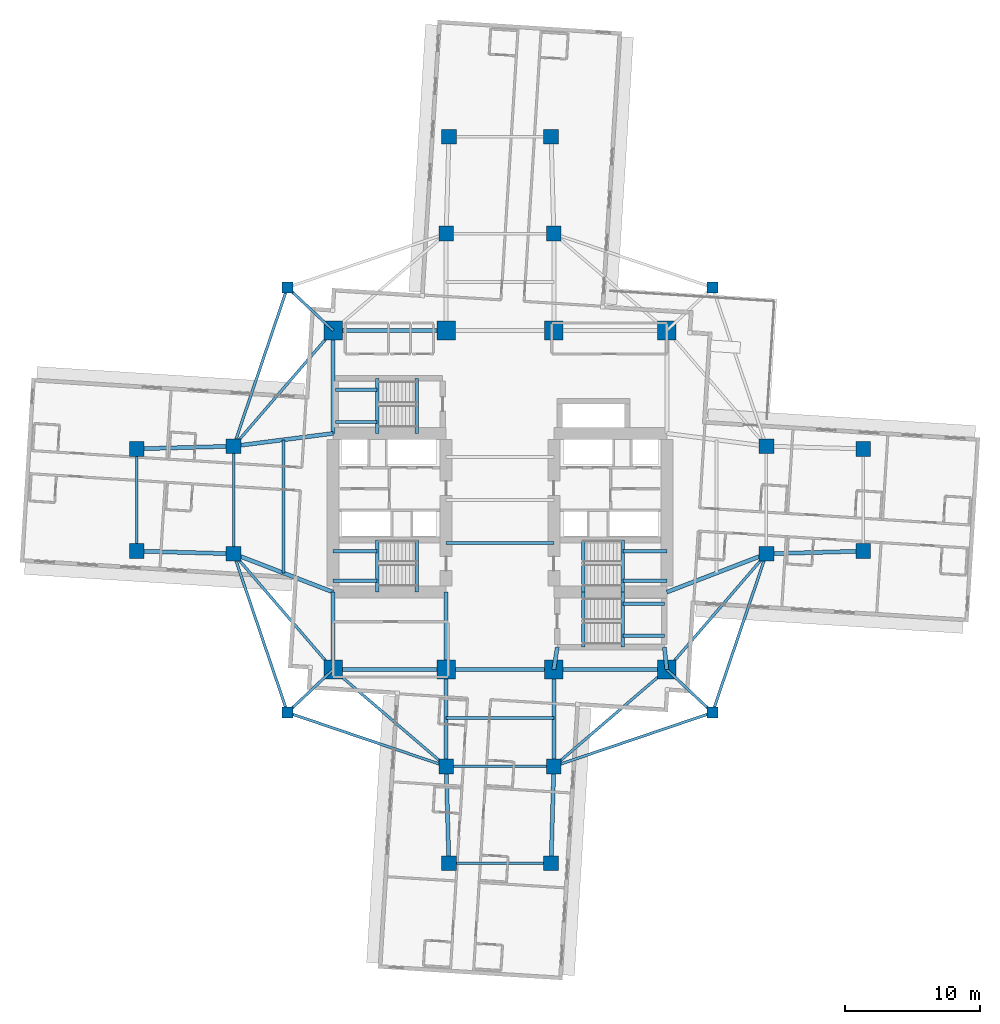
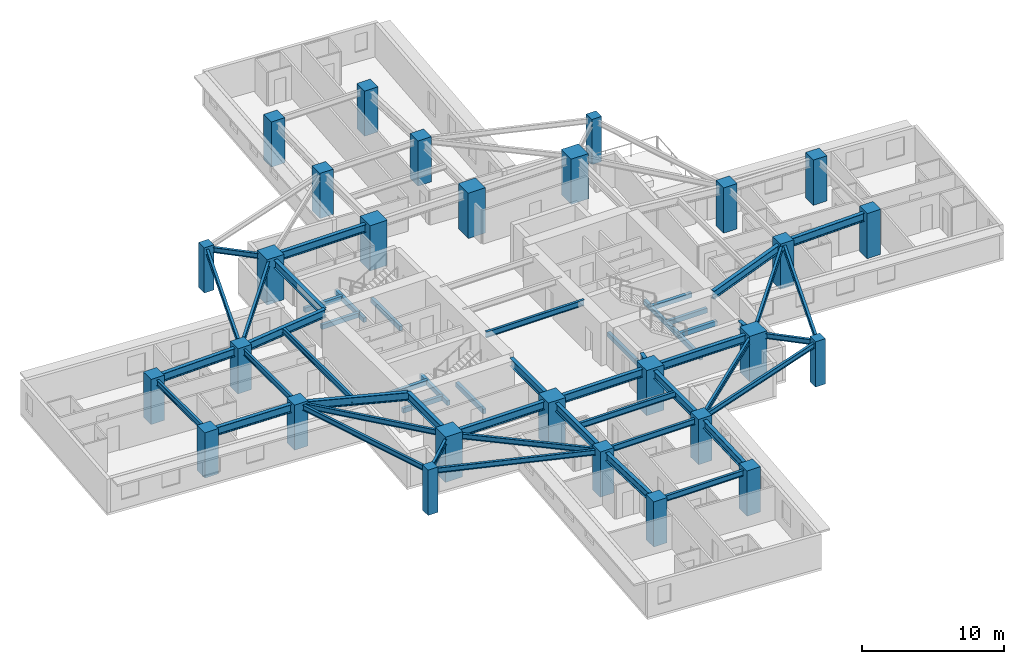
# One storey, part 1 of 14: 55 beams, 28 columns.
"""IFC4 building model written with IfcOpenShell, lengths in metres."""

from ifc_helpers import new_model, si_unit, direction, frame, origin, origin_2d, place, context, subcontext, project, spatial, rectangle, i_section, extrude, material, material_profile, profile_set, type_object, element, save


model = new_model("IFC4")

# Units and contexts
model_context = context("Model", 3, precision=1e-05, world=origin(), true_north=direction((0.0, 1.0)))
body_context = subcontext(model_context, "Body", "Model", "MODEL_VIEW")
ifc_project = project(units=[si_unit("LENGTHUNIT", "METRE"), si_unit("AREAUNIT", "SQUARE_METRE"), si_unit("VOLUMEUNIT", "CUBIC_METRE"), si_unit("PLANEANGLEUNIT", "RADIAN"), si_unit("MASSUNIT", "GRAM", prefix="KILO")], contexts=[model_context])

# Site, building, storey
site_placement = place(None, origin())
site = spatial("IfcSite", under=ifc_project, at=site_placement, CompositionType="ELEMENT")
building_placement = place(site_placement, origin())
building = spatial("IfcBuilding", under=site, at=building_placement, Name="Qingluan Cross Belvedere", CompositionType="ELEMENT")
storey_placement = place(building_placement, frame((0.0, 0.0, 79.5)))
storey = spatial("IfcBuildingStorey", under=building, at=storey_placement, Name="L20", CompositionType="ELEMENT", Elevation=79.5)

# Columns
ifc_material_1 = material(Name="Concrete C60", Category="concrete")
ifc_material_profile_1 = material_profile(ifc_material_1, rectangle(XDim=1.10009765625, YDim=1.10009765625, at=origin_2d()), Name="RC1100x1100")
ifc_profile_set_1 = profile_set([ifc_material_profile_1], Name="Concrete C60")
column_type_1 = type_object("IfcColumnType", Name="Column_RC1100x1100", PredefinedType="COLUMN", material=ifc_profile_set_1)
for number, where, z_axis, x_axis, name in (
    (1, (19.800048828125, -4.0, 0.0), (0.0, 0.0, 1.0), (1.0, 0.0, 0.0), "Arm column L20-EIA"),
    (2, (19.800048828125, 4.0, 0.0), (0.0, 0.0, 1.0), (1.0, 0.0, 0.0), "Arm column L20-EIB"),
    (3, (-19.800048828125, -4.0, 0.0), (0.0, 0.0, 1.0), (1.0, 0.0, 0.0), "Arm column L20-WIA"),
    (4, (-19.800048828125, 4.0, 0.0), (0.0, 0.0, 1.0), (1.0, 0.0, 0.0), "Arm column L20-WIB"),
    (5, (-4.0, -19.800048828125, 0.0), (0.0, 0.0, 1.0), (1.0, 0.0, 0.0), "Arm column L20-SIA"),
    (6, (4.0, -19.800048828125, 0.0), (0.0, 0.0, 1.0), (1.0, 0.0, 0.0), "Arm column L20-SIB"),
    (7, (-4.0, 19.800048828125, 0.0), (0.0, 0.0, 1.0), (1.0, 0.0, 0.0), "Arm column L20-NIA"),
    (8, (4.0, 19.800048828125, 0.0), (0.0, 0.0, 1.0), (1.0, 0.0, 0.0), "Arm column L20-NIB"),
    (9, (27.0, -3.800048828125, 0.0), (0.0, 0.0, 1.0), (1.0, 0.0, 0.0), "Arm column L20-EOA"),
    (10, (27.0, 3.800048828125, 0.0), (0.0, 0.0, 1.0), (1.0, 0.0, 0.0), "Arm column L20-EOB"),
    (11, (-27.0, -3.800048828125, 0.0), (0.0, 0.0, 1.0), (1.0, 0.0, 0.0), "Arm column L20-WOA"),
    (12, (-27.0, 3.800048828125, 0.0), (0.0, 0.0, 1.0), (1.0, 0.0, 0.0), "Arm column L20-WOB"),
    (13, (-3.800048828125, -27.0, 0.0), (0.0, 0.0, 1.0), (1.0, 0.0, 0.0), "Arm column L20-SOA"),
    (14, (3.800048828125, -27.0, 0.0), (0.0, 0.0, 1.0), (1.0, 0.0, 0.0), "Arm column L20-SOB"),
    (15, (-3.800048828125, 27.0, 0.0), (0.0, 0.0, 1.0), (1.0, 0.0, 0.0), "Arm column L20-NOA"),
    (16, (3.800048828125, 27.0, 0.0), (0.0, 0.0, 1.0), (1.0, 0.0, 0.0), "Arm column L20-NOB"),
):
    element("IfcColumn", number, at=place(storey_placement, frame(where, z_axis=z_axis, x_axis=x_axis)), inside=storey, type_object=column_type_1, Name=name, PredefinedType="COLUMN", context=body_context, shape_type="SweptSolid", body=[
        extrude(rectangle(XDim=1.10009765625, YDim=1.10009765625, at=origin_2d()), origin(), (0.0, 0.0, 1.0), 3.89990234375),
    ])
ifc_material_2 = material(Name="Concrete C70", Category="concrete")
ifc_material_profile_2 = material_profile(ifc_material_2, rectangle(XDim=1.39990234375, YDim=1.39990234375, at=origin_2d()), Name="RC1400x1400")
ifc_profile_set_2 = profile_set([ifc_material_profile_2], Name="Concrete C70")
column_type_2 = type_object("IfcColumnType", Name="Column_RC1400x1400", PredefinedType="COLUMN", material=ifc_profile_set_2)
for number, where, z_axis, x_axis, name in (
    (17, (-12.39990234375, -12.60009765625, 0.0), (0.0, 0.0, 1.0), (1.0, 0.0, 0.0), "Hub column L20-HC1"),
    (18, (12.39990234375, -12.60009765625, 0.0), (0.0, 0.0, 1.0), (1.0, 0.0, 0.0), "Hub column L20-HC2"),
    (19, (12.39990234375, 12.60009765625, 0.0), (0.0, 0.0, 1.0), (1.0, 0.0, 0.0), "Hub column L20-HC3"),
    (20, (-12.39990234375, 12.60009765625, 0.0), (0.0, 0.0, 1.0), (1.0, 0.0, 0.0), "Hub column L20-HC4"),
    (21, (-4.0, -12.60009765625, 0.0), (0.0, 0.0, 1.0), (1.0, 0.0, 0.0), "Hub column L20-HC5"),
    (22, (4.0, -12.60009765625, 0.0), (0.0, 0.0, 1.0), (1.0, 0.0, 0.0), "Hub column L20-HC6"),
    (23, (4.0, 12.60009765625, 0.0), (0.0, 0.0, 1.0), (1.0, 0.0, 0.0), "Hub column L20-HC7"),
    (24, (-4.0, 12.60009765625, 0.0), (0.0, 0.0, 1.0), (1.0, 0.0, 0.0), "Hub column L20-HC8"),
):
    element("IfcColumn", number, at=place(storey_placement, frame(where, z_axis=z_axis, x_axis=x_axis)), inside=storey, type_object=column_type_2, Name=name, PredefinedType="COLUMN", context=body_context, shape_type="SweptSolid", body=[
        extrude(rectangle(XDim=1.39990234375, YDim=1.39990234375, at=origin_2d()), origin(), (0.0, 0.0, 1.0), 3.89990234375),
    ])
ifc_material_3 = material(Name="Concrete C50", Category="concrete")
ifc_material_profile_3 = material_profile(ifc_material_3, rectangle(XDim=0.800048828125, YDim=0.800048828125, at=origin_2d()), Name="RC800x800")
ifc_profile_set_3 = profile_set([ifc_material_profile_3], Name="Concrete C50")
column_type_3 = type_object("IfcColumnType", Name="Column_RC800x800", PredefinedType="COLUMN", material=ifc_profile_set_3)
for number, where, z_axis, x_axis, name in (
    (25, (15.800048828125, 15.800048828125, 0.0), (0.0, 0.0, 1.0), (1.0, 0.0, 0.0), "Corner column L20-RNE"),
    (26, (-15.800048828125, 15.800048828125, 0.0), (0.0, 0.0, 1.0), (1.0, 0.0, 0.0), "Corner column L20-RNW"),
    (27, (-15.800048828125, -15.800048828125, 0.0), (0.0, 0.0, 1.0), (1.0, 0.0, 0.0), "Corner column L20-RSW"),
    (28, (15.800048828125, -15.800048828125, 0.0), (0.0, 0.0, 1.0), (1.0, 0.0, 0.0), "Corner column L20-RSE"),
):
    element("IfcColumn", number, at=place(storey_placement, frame(where, z_axis=z_axis, x_axis=x_axis)), inside=storey, type_object=column_type_3, Name=name, PredefinedType="COLUMN", context=body_context, shape_type="SweptSolid", body=[
        extrude(rectangle(XDim=0.800048828125, YDim=0.800048828125, at=origin_2d()), origin(), (0.0, 0.0, 1.0), 3.89990234375),
    ])

# Beams
ifc_material_4 = material(Name="Concrete C45", Category="concrete")
ifc_material_profile_4 = material_profile(ifc_material_4, rectangle(XDim=0.25, YDim=0.39990234375, at=origin_2d()), Name="RC250x400")
ifc_profile_set_4 = profile_set([ifc_material_profile_4], Name="Concrete C45")
beam_type_1 = type_object("IfcBeamType", Name="RC_Lintel_RC250x400", PredefinedType="LINTEL", material=ifc_profile_set_4)
for number, where, z_axis, x_axis, name in (
    (29, (-6.179931640625, -6.85009765625, -0.199951171875), (0.0, 1.0, 0.0), (-1.0, 0.0, 0.0), "Stair ST1 landing beam L20"),
    (30, (6.179931640625, -6.85009765625, -0.199951171875), (0.0, 1.0, 0.0), (-1.0, 0.0, 0.0), "Stair ST2 landing beam L20"),
):
    element("IfcBeam", number, at=place(storey_placement, frame(where, z_axis=z_axis, x_axis=x_axis)), inside=storey, type_object=beam_type_1, Name=name, PredefinedType="LINTEL", context=body_context, shape_type="SweptSolid", body=[
        extrude(rectangle(XDim=0.25, YDim=0.39990234375, at=origin_2d()), origin(), (0.0, 0.0, 1.0), 3.89013671875),
    ])
beam_1_placement = place(storey_placement, frame((-6.179931640625, 4.949951171875, -0.199951171875), z_axis=(0.0, 1.0, 0.0), x_axis=(-1.0, 0.0, 0.0)))
element("IfcBeam", 31, at=beam_1_placement, inside=storey, type_object=beam_type_1, Name="Stair ST3 landing beam L20", PredefinedType="LINTEL", context=body_context, shape_type="SweptSolid", body=[
    extrude(rectangle(XDim=0.25, YDim=0.39990234375, at=origin_2d()), origin(), (0.0, 0.0, 1.0), 4.090087890625),
])
beam_2_placement = place(storey_placement, frame((6.179931640625, -10.93994140625, -0.199951171875), z_axis=(0.0, 1.0, 0.0), x_axis=(-1.0, 0.0, 0.0)))
element("IfcBeam", 32, at=beam_2_placement, inside=storey, type_object=beam_type_1, Name="Stair ST4 landing beam L20", PredefinedType="LINTEL", context=body_context, shape_type="SweptSolid", body=[
    extrude(rectangle(XDim=0.25, YDim=0.39990234375, at=origin_2d()), origin(), (0.0, 0.0, 1.0), 4.08984375),
])
beam_3_placement = place(storey_placement, frame((-9.1298828125, -6.85009765625, 1.550048828125), z_axis=(0.0, 1.0, 0.0), x_axis=(-1.0, 0.0, 0.0)))
element("IfcBeam", 33, at=beam_3_placement, inside=storey, type_object=beam_type_1, Name="Stair ST1 beam A L20", PredefinedType="LINTEL", context=body_context, shape_type="SweptSolid", body=[
    extrude(rectangle(XDim=0.25, YDim=0.39990234375, at=origin_2d()), origin(), (0.0, 0.0, 1.0), 3.89013671875),
])
for number, where, z_axis, x_axis, name in (
    (34, (-12.39990234375, -6.0, 1.550048828125), (1.0, 0.0, 0.0), (0.0, 1.0, 0.0), "Stair ST1 beam B L20"),
    (35, (-12.39990234375, -3.81005859375, 1.550048828125), (1.0, 0.0, 0.0), (0.0, 1.0, 0.0), "Stair ST1 beam C L20"),
):
    element("IfcBeam", number, at=place(storey_placement, frame(where, z_axis=z_axis, x_axis=x_axis)), inside=storey, type_object=beam_type_1, Name=name, PredefinedType="LINTEL", context=body_context, shape_type="SweptSolid", body=[
        extrude(rectangle(XDim=0.25, YDim=0.39990234375, at=origin_2d()), origin(), (0.0, 0.0, 1.0), 3.27001953125),
    ])
beam_4_placement = place(storey_placement, frame((9.1298828125, -6.85009765625, 1.550048828125), z_axis=(0.0, 1.0, 0.0), x_axis=(-1.0, 0.0, 0.0)))
element("IfcBeam", 36, at=beam_4_placement, inside=storey, type_object=beam_type_1, Name="Stair ST2 beam A L20", PredefinedType="LINTEL", context=body_context, shape_type="SweptSolid", body=[
    extrude(rectangle(XDim=0.25, YDim=0.39990234375, at=origin_2d()), origin(), (0.0, 0.0, 1.0), 3.89013671875),
])
for number, where, z_axis, x_axis, name in (
    (37, (12.39990234375, -6.0, 1.550048828125), (-1.0, 0.0, 0.0), (0.0, -1.0, 0.0), "Stair ST2 beam B L20"),
    (38, (12.39990234375, -3.81005859375, 1.550048828125), (-1.0, 0.0, 0.0), (0.0, -1.0, 0.0), "Stair ST2 beam C L20"),
):
    element("IfcBeam", number, at=place(storey_placement, frame(where, z_axis=z_axis, x_axis=x_axis)), inside=storey, type_object=beam_type_1, Name=name, PredefinedType="LINTEL", context=body_context, shape_type="SweptSolid", body=[
        extrude(rectangle(XDim=0.25, YDim=0.39990234375, at=origin_2d()), origin(), (0.0, 0.0, 1.0), 3.27001953125),
    ])
beam_5_placement = place(storey_placement, frame((-9.1298828125, 4.949951171875, 1.550048828125), z_axis=(0.0, 1.0, 0.0), x_axis=(-1.0, 0.0, 0.0)))
element("IfcBeam", 39, at=beam_5_placement, inside=storey, type_object=beam_type_1, Name="Stair ST3 beam A L20", PredefinedType="LINTEL", context=body_context, shape_type="SweptSolid", body=[
    extrude(rectangle(XDim=0.25, YDim=0.39990234375, at=origin_2d()), origin(), (0.0, 0.0, 1.0), 4.090087890625),
])
for number, where, z_axis, x_axis, name in (
    (40, (-12.219970703125, 5.800048828125, 1.550048828125), (1.0, 0.0, 0.0), (0.0, 1.0, 0.0), "Stair ST3 beam B L20"),
    (41, (-12.219970703125, 8.18994140625, 1.550048828125), (1.0, 0.0, 0.0), (0.0, 1.0, 0.0), "Stair ST3 beam C L20"),
):
    element("IfcBeam", number, at=place(storey_placement, frame(where, z_axis=z_axis, x_axis=x_axis)), inside=storey, type_object=beam_type_1, Name=name, PredefinedType="LINTEL", context=body_context, shape_type="SweptSolid", body=[
        extrude(rectangle(XDim=0.25, YDim=0.39990234375, at=origin_2d()), origin(), (0.0, 0.0, 1.0), 3.090087890625),
    ])
beam_6_placement = place(storey_placement, frame((9.1298828125, -10.93994140625, 1.550048828125), z_axis=(0.0, 1.0, 0.0), x_axis=(-1.0, 0.0, 0.0)))
element("IfcBeam", 42, at=beam_6_placement, inside=storey, type_object=beam_type_1, Name="Stair ST4 beam A L20", PredefinedType="LINTEL", context=body_context, shape_type="SweptSolid", body=[
    extrude(rectangle(XDim=0.25, YDim=0.39990234375, at=origin_2d()), origin(), (0.0, 0.0, 1.0), 4.08984375),
])
for number, where, z_axis, x_axis, name in (
    (43, (12.219970703125, -10.090087890625, 1.550048828125), (-1.0, 0.0, 0.0), (0.0, -1.0, 0.0), "Stair ST4 beam B L20"),
    (44, (12.219970703125, -7.699951171875, 1.550048828125), (-1.0, 0.0, 0.0), (0.0, -1.0, 0.0), "Stair ST4 beam C L20"),
):
    element("IfcBeam", number, at=place(storey_placement, frame(where, z_axis=z_axis, x_axis=x_axis)), inside=storey, type_object=beam_type_1, Name=name, PredefinedType="LINTEL", context=body_context, shape_type="SweptSolid", body=[
        extrude(rectangle(XDim=0.25, YDim=0.39990234375, at=origin_2d()), origin(), (0.0, 0.0, 1.0), 3.090087890625),
    ])
ifc_material_5 = material(Name="Steel Q420GJB", Category="steel")
ifc_material_profile_5 = material_profile(ifc_material_5, i_section(OverallWidth=0.199951171875, OverallDepth=0.449951171875, WebThickness=0.009033203125, FlangeThickness=0.013916015625, FilletRadius=0.01611328125, at=origin_2d()), Name="HN450x200x9x14")
ifc_profile_set_5 = profile_set([ifc_material_profile_5], Name="Steel Q420GJB")
beam_type_2 = type_object("IfcBeamType", Name="Steel_Beam_HN450x200x9x14", PredefinedType="JOIST", material=ifc_profile_set_5)
beam_7_placement = place(storey_placement, frame((-12.39990234375, 12.60009765625, 3.47509765625), z_axis=(-0.728219948308, 0.685343495546, 0.0), x_axis=(-0.685343495546, -0.728219948308, 0.0)))
element("IfcBeam", 45, at=beam_7_placement, inside=storey, type_object=beam_type_2, Name="Corner beam 1 L20-RNW", PredefinedType="JOIST", context=body_context, shape_type="SweptSolid", body=[
    extrude(i_section(OverallWidth=0.199951171875, OverallDepth=0.449951171875, WebThickness=0.009033203125, FlangeThickness=0.013916015625, FilletRadius=0.01611328125, at=origin_2d()), origin(), (0.0, 0.0, 1.0), 4.669189453125),
])
beam_8_placement = place(storey_placement, frame((-15.800048828125, 15.800048828125, 3.47509765625), z_axis=(-0.321038089628, -0.947066283324, 0.0), x_axis=(0.947066283324, -0.321038089628, 0.0)))
element("IfcBeam", 46, at=beam_8_placement, inside=storey, type_object=beam_type_2, Name="Corner beam 3 L20-RNW", PredefinedType="JOIST", context=body_context, shape_type="SweptSolid", body=[
    extrude(i_section(OverallWidth=0.199951171875, OverallDepth=0.449951171875, WebThickness=0.009033203125, FlangeThickness=0.013916015625, FilletRadius=0.01611328125, at=origin_2d()), origin(), (0.0, 0.0, 1.0), 12.45947265625),
])
beam_9_placement = place(storey_placement, frame((-12.39990234375, 12.60009765625, 3.47509765625), z_axis=(-0.652245077546, -0.75800815221, 0.0), x_axis=(0.75800815221, -0.652245077546, 0.0)))
element("IfcBeam", 47, at=beam_9_placement, inside=storey, type_object=beam_type_2, Name="Corner beam 4 L20-RNW", PredefinedType="JOIST", context=body_context, shape_type="SweptSolid", body=[
    extrude(i_section(OverallWidth=0.199951171875, OverallDepth=0.449951171875, WebThickness=0.009033203125, FlangeThickness=0.013916015625, FilletRadius=0.01611328125, at=origin_2d()), origin(), (0.0, 0.0, 1.0), 11.345703125),
])
beam_10_placement = place(storey_placement, frame((-12.39990234375, -12.60009765625, 3.47509765625), z_axis=(-0.728219948308, -0.685343495546, 0.0), x_axis=(0.685343495546, -0.728219948308, 0.0)))
element("IfcBeam", 48, at=beam_10_placement, inside=storey, type_object=beam_type_2, Name="Corner beam 1 L20-RSW", PredefinedType="JOIST", context=body_context, shape_type="SweptSolid", body=[
    extrude(i_section(OverallWidth=0.199951171875, OverallDepth=0.449951171875, WebThickness=0.009033203125, FlangeThickness=0.013916015625, FilletRadius=0.01611328125, at=origin_2d()), origin(), (0.0, 0.0, 1.0), 4.669189453125),
])
for number, where, z_axis, x_axis, name in (
    (49, (-15.800048828125, -15.800048828125, 3.47509765625), (0.947066283324, -0.321038089628, 0.0), (0.321038089628, 0.947066283324, 0.0), "Corner beam 2 L20-RSW"),
    (50, (-15.800048828125, -15.800048828125, 3.47509765625), (-0.321038089628, 0.947066283324, 0.0), (-0.947066283324, -0.321038089628, 0.0), "Corner beam 3 L20-RSW"),
):
    element("IfcBeam", number, at=place(storey_placement, frame(where, z_axis=z_axis, x_axis=x_axis)), inside=storey, type_object=beam_type_2, Name=name, PredefinedType="JOIST", context=body_context, shape_type="SweptSolid", body=[
        extrude(i_section(OverallWidth=0.199951171875, OverallDepth=0.449951171875, WebThickness=0.009033203125, FlangeThickness=0.013916015625, FilletRadius=0.01611328125, at=origin_2d()), origin(), (0.0, 0.0, 1.0), 12.45947265625),
    ])
beam_11_placement = place(storey_placement, frame((-12.39990234375, -12.60009765625, 3.47509765625), z_axis=(-0.652245077546, 0.75800815221, 0.0), x_axis=(-0.75800815221, -0.652245077546, 0.0)))
element("IfcBeam", 51, at=beam_11_placement, inside=storey, type_object=beam_type_2, Name="Corner beam 4 L20-RSW", PredefinedType="JOIST", context=body_context, shape_type="SweptSolid", body=[
    extrude(i_section(OverallWidth=0.199951171875, OverallDepth=0.449951171875, WebThickness=0.009033203125, FlangeThickness=0.013916015625, FilletRadius=0.01611328125, at=origin_2d()), origin(), (0.0, 0.0, 1.0), 11.345703125),
])
beam_12_placement = place(storey_placement, frame((-12.39990234375, -12.60009765625, 3.47509765625), z_axis=(0.759255044656, -0.650793190779, 0.0), x_axis=(0.650793190779, 0.759255044656, 0.0)))
element("IfcBeam", 52, at=beam_12_placement, inside=storey, type_object=beam_type_2, Name="Corner beam 5 L20-RSW", PredefinedType="JOIST", context=body_context, shape_type="SweptSolid", body=[
    extrude(i_section(OverallWidth=0.199951171875, OverallDepth=0.449951171875, WebThickness=0.009033203125, FlangeThickness=0.013916015625, FilletRadius=0.01611328125, at=origin_2d()), origin(), (0.0, 0.0, 1.0), 11.063232421875),
])
beam_13_placement = place(storey_placement, frame((12.39990234375, -12.60009765625, 3.47509765625), z_axis=(0.728219948308, -0.685343495546, 0.0), x_axis=(0.685343495546, 0.728219948308, 0.0)))
element("IfcBeam", 53, at=beam_13_placement, inside=storey, type_object=beam_type_2, Name="Corner beam 1 L20-RSE", PredefinedType="JOIST", context=body_context, shape_type="SweptSolid", body=[
    extrude(i_section(OverallWidth=0.199951171875, OverallDepth=0.449951171875, WebThickness=0.009033203125, FlangeThickness=0.013916015625, FilletRadius=0.01611328125, at=origin_2d()), origin(), (0.0, 0.0, 1.0), 4.669189453125),
])
for number, where, z_axis, x_axis, name in (
    (54, (15.800048828125, -15.800048828125, 3.47509765625), (-0.947066283324, -0.321038089628, 0.0), (0.321038089628, -0.947066283324, 0.0), "Corner beam 2 L20-RSE"),
    (55, (15.800048828125, -15.800048828125, 3.47509765625), (0.321038089628, 0.947066283324, 0.0), (-0.947066283324, 0.321038089628, 0.0), "Corner beam 3 L20-RSE"),
):
    element("IfcBeam", number, at=place(storey_placement, frame(where, z_axis=z_axis, x_axis=x_axis)), inside=storey, type_object=beam_type_2, Name=name, PredefinedType="JOIST", context=body_context, shape_type="SweptSolid", body=[
        extrude(i_section(OverallWidth=0.199951171875, OverallDepth=0.449951171875, WebThickness=0.009033203125, FlangeThickness=0.013916015625, FilletRadius=0.01611328125, at=origin_2d()), origin(), (0.0, 0.0, 1.0), 12.45947265625),
    ])
beam_14_placement = place(storey_placement, frame((12.39990234375, -12.60009765625, 3.47509765625), z_axis=(0.652245077546, 0.75800815221, 0.0), x_axis=(-0.75800815221, 0.652245077546, 0.0)))
element("IfcBeam", 56, at=beam_14_placement, inside=storey, type_object=beam_type_2, Name="Corner beam 4 L20-RSE", PredefinedType="JOIST", context=body_context, shape_type="SweptSolid", body=[
    extrude(i_section(OverallWidth=0.199951171875, OverallDepth=0.449951171875, WebThickness=0.009033203125, FlangeThickness=0.013916015625, FilletRadius=0.01611328125, at=origin_2d()), origin(), (0.0, 0.0, 1.0), 11.345703125),
])
beam_15_placement = place(storey_placement, frame((12.39990234375, -12.60009765625, 3.47509765625), z_axis=(-0.759255044656, -0.650793190779, 0.0), x_axis=(0.650793190779, -0.759255044656, 0.0)))
element("IfcBeam", 57, at=beam_15_placement, inside=storey, type_object=beam_type_2, Name="Corner beam 5 L20-RSE", PredefinedType="JOIST", context=body_context, shape_type="SweptSolid", body=[
    extrude(i_section(OverallWidth=0.199951171875, OverallDepth=0.449951171875, WebThickness=0.009033203125, FlangeThickness=0.013916015625, FilletRadius=0.01611328125, at=origin_2d()), origin(), (0.0, 0.0, 1.0), 11.063232421875),
])
ifc_material_6 = material(Name="Steel Q420GJB", Category="steel")
ifc_material_profile_6 = material_profile(ifc_material_6, i_section(OverallWidth=0.199951171875, OverallDepth=0.5, WebThickness=0.010009765625, FlangeThickness=0.01611328125, FilletRadius=0.01611328125, at=origin_2d()), Name="HN500x200x10x16")
ifc_profile_set_6 = profile_set([ifc_material_profile_6], Name="Steel Q420GJB")
beam_type_3 = type_object("IfcBeamType", Name="Steel_Beam_HN500x200x10x16", PredefinedType="JOIST", material=ifc_profile_set_6)
for number, where, z_axis, x_axis, name in (
    (58, (-4.0, -3.199951171875, 3.449951171875), (1.0, 0.0, 0.0), (0.0, 1.0, 0.0), "Hall beam L20-CH1"),
    (59, (-19.800048828125, -4.0, 3.449951171875), (0.0, 1.0, 0.0), (-1.0, 0.0, 0.0), "Arm W tie L20"),
):
    element("IfcBeam", number, at=place(storey_placement, frame(where, z_axis=z_axis, x_axis=x_axis)), inside=storey, type_object=beam_type_3, Name=name, PredefinedType="JOIST", context=body_context, shape_type="SweptSolid", body=[
        extrude(i_section(OverallWidth=0.199951171875, OverallDepth=0.5, WebThickness=0.010009765625, FlangeThickness=0.01611328125, FilletRadius=0.01611328125, at=origin_2d()), origin(), (0.0, 0.0, 1.0), 8.0),
    ])
beam_16_placement = place(storey_placement, frame((-16.10009765625, -5.425048828125, 3.449951171875), z_axis=(0.0, 1.0, 0.0), x_axis=(-1.0, 0.0, 0.0)))
element("IfcBeam", 60, at=beam_16_placement, inside=storey, type_object=beam_type_3, Name="Arm W beam L20", PredefinedType="JOIST", context=body_context, shape_type="SweptSolid", body=[
    extrude(i_section(OverallWidth=0.199951171875, OverallDepth=0.5, WebThickness=0.010009765625, FlangeThickness=0.01611328125, FilletRadius=0.01611328125, at=origin_2d()), origin(), (0.0, 0.0, 1.0), 9.900146484375),
])
beam_17_placement = place(storey_placement, frame((-27.0, -3.800048828125, 3.449951171875), z_axis=(0.0, 1.0, 0.0), x_axis=(-1.0, 0.0, 0.0)))
element("IfcBeam", 61, at=beam_17_placement, inside=storey, type_object=beam_type_3, Name="Arm W tip transverse beam L20", PredefinedType="JOIST", context=body_context, shape_type="SweptSolid", body=[
    extrude(i_section(OverallWidth=0.199951171875, OverallDepth=0.5, WebThickness=0.010009765625, FlangeThickness=0.01611328125, FilletRadius=0.01611328125, at=origin_2d()), origin(), (0.0, 0.0, 1.0), 7.60009765625),
])
for number, where, z_axis, x_axis, name in (
    (62, (-4.0, -19.800048828125, 3.449951171875), (1.0, 0.0, 0.0), (0.0, 1.0, 0.0), "Arm S tie L20"),
    (63, (-4.0, -16.199951171875, 3.449951171875), (1.0, 0.0, 0.0), (0.0, 1.0, 0.0), "Arm S beam L20"),
):
    element("IfcBeam", number, at=place(storey_placement, frame(where, z_axis=z_axis, x_axis=x_axis)), inside=storey, type_object=beam_type_3, Name=name, PredefinedType="JOIST", context=body_context, shape_type="SweptSolid", body=[
        extrude(i_section(OverallWidth=0.199951171875, OverallDepth=0.5, WebThickness=0.010009765625, FlangeThickness=0.01611328125, FilletRadius=0.01611328125, at=origin_2d()), origin(), (0.0, 0.0, 1.0), 8.0),
    ])
beam_18_placement = place(storey_placement, frame((-3.800048828125, -27.0, 3.449951171875), z_axis=(1.0, 0.0, 0.0), x_axis=(0.0, 1.0, 0.0)))
element("IfcBeam", 64, at=beam_18_placement, inside=storey, type_object=beam_type_3, Name="Arm S tip transverse beam L20", PredefinedType="JOIST", context=body_context, shape_type="SweptSolid", body=[
    extrude(i_section(OverallWidth=0.199951171875, OverallDepth=0.5, WebThickness=0.010009765625, FlangeThickness=0.01611328125, FilletRadius=0.01611328125, at=origin_2d()), origin(), (0.0, 0.0, 1.0), 7.60009765625),
])
ifc_material_7 = material(Name="Steel Q420GJB", Category="steel")
ifc_material_profile_7 = material_profile(ifc_material_7, i_section(OverallWidth=0.300048828125, OverallDepth=0.699951171875, WebThickness=0.014892578125, FlangeThickness=0.027099609375, FilletRadius=0.027099609375, at=origin_2d()), Name="HEB700")
ifc_profile_set_7 = profile_set([ifc_material_profile_7], Name="Steel Q420GJB")
beam_type_4 = type_object("IfcBeamType", Name="Steel_Girder_HEB700", PredefinedType="USERDEFINED", material=ifc_profile_set_7)
beam_19_placement = place(storey_placement, frame((-12.39990234375, -12.60009765625, 3.35009765625), z_axis=(1.0, 0.0, 0.0), x_axis=(0.0, 1.0, 0.0)))
element("IfcBeam", 65, at=beam_19_placement, inside=storey, type_object=beam_type_4, Name="Hub girder L20-HG-S1", ObjectType="GIRDER", PredefinedType="USERDEFINED", context=body_context, shape_type="SweptSolid", body=[
    extrude(i_section(OverallWidth=0.300048828125, OverallDepth=0.699951171875, WebThickness=0.014892578125, FlangeThickness=0.027099609375, FilletRadius=0.027099609375, at=origin_2d()), origin(), (0.0, 0.0, 1.0), 8.39990234375),
])
beam_20_placement = place(storey_placement, frame((-4.0, -12.60009765625, 3.35009765625), z_axis=(1.0, 0.0, 0.0), x_axis=(0.0, 1.0, 0.0)))
element("IfcBeam", 66, at=beam_20_placement, inside=storey, type_object=beam_type_4, Name="Hub girder L20-HG-S2", ObjectType="GIRDER", PredefinedType="USERDEFINED", context=body_context, shape_type="SweptSolid", body=[
    extrude(i_section(OverallWidth=0.300048828125, OverallDepth=0.699951171875, WebThickness=0.014892578125, FlangeThickness=0.027099609375, FilletRadius=0.027099609375, at=origin_2d()), origin(), (0.0, 0.0, 1.0), 8.0),
])
for number, where, z_axis, x_axis, name in (
    (67, (4.0, -12.60009765625, 3.35009765625), (1.0, 0.0, 0.0), (0.0, 1.0, 0.0), "Hub girder L20-HG-S3"),
    (68, (-12.39990234375, 12.60009765625, 3.35009765625), (1.0, 0.0, 0.0), (0.0, 1.0, 0.0), "Hub girder L20-HG-N1"),
):
    element("IfcBeam", number, at=place(storey_placement, frame(where, z_axis=z_axis, x_axis=x_axis)), inside=storey, type_object=beam_type_4, Name=name, ObjectType="GIRDER", PredefinedType="USERDEFINED", context=body_context, shape_type="SweptSolid", body=[
        extrude(i_section(OverallWidth=0.300048828125, OverallDepth=0.699951171875, WebThickness=0.014892578125, FlangeThickness=0.027099609375, FilletRadius=0.027099609375, at=origin_2d()), origin(), (0.0, 0.0, 1.0), 8.39990234375),
    ])
beam_21_placement = place(storey_placement, frame((-12.39990234375, -12.60009765625, 3.35009765625), z_axis=(0.0, 1.0, 0.0), x_axis=(-1.0, 0.0, 0.0)))
element("IfcBeam", 69, at=beam_21_placement, inside=storey, type_object=beam_type_4, Name="Hub girder L20-HG-W1", ObjectType="GIRDER", PredefinedType="USERDEFINED", context=body_context, shape_type="SweptSolid", body=[
    extrude(i_section(OverallWidth=0.300048828125, OverallDepth=0.699951171875, WebThickness=0.014892578125, FlangeThickness=0.027099609375, FilletRadius=0.027099609375, at=origin_2d()), origin(), (0.0, 0.0, 1.0), 5.75),
])
beam_22_placement = place(storey_placement, frame((-12.39990234375, 4.949951171875, 3.35009765625), z_axis=(0.0, 1.0, 0.0), x_axis=(-1.0, 0.0, 0.0)))
element("IfcBeam", 70, at=beam_22_placement, inside=storey, type_object=beam_type_4, Name="Hub girder L20-HG-W2", ObjectType="GIRDER", PredefinedType="USERDEFINED", context=body_context, shape_type="SweptSolid", body=[
    extrude(i_section(OverallWidth=0.300048828125, OverallDepth=0.699951171875, WebThickness=0.014892578125, FlangeThickness=0.027099609375, FilletRadius=0.027099609375, at=origin_2d()), origin(), (0.0, 0.0, 1.0), 7.650146484375),
])
beam_23_placement = place(storey_placement, frame((12.39990234375, -12.60009765625, 3.35009765625), z_axis=(-0.107751337451, 0.994177876075, 0.0), x_axis=(-0.994177876075, -0.107751337451, 0.0)))
element("IfcBeam", 71, at=beam_23_placement, inside=storey, type_object=beam_type_4, Name="Hub girder L20-HG-E1", ObjectType="GIRDER", PredefinedType="USERDEFINED", context=body_context, shape_type="SweptSolid", body=[
    extrude(i_section(OverallWidth=0.300048828125, OverallDepth=0.699951171875, WebThickness=0.014892578125, FlangeThickness=0.027099609375, FilletRadius=0.027099609375, at=origin_2d()), origin(), (0.0, 0.0, 1.0), 1.669921875),
])
beam_24_placement = place(storey_placement, frame((-4.0, -12.60009765625, 3.35009765625), z_axis=(0.0, 1.0, 0.0), x_axis=(-1.0, 0.0, 0.0)))
element("IfcBeam", 72, at=beam_24_placement, inside=storey, type_object=beam_type_4, Name="Hub girder L20-HG-CW", ObjectType="GIRDER", PredefinedType="USERDEFINED", context=body_context, shape_type="SweptSolid", body=[
    extrude(i_section(OverallWidth=0.300048828125, OverallDepth=0.699951171875, WebThickness=0.014892578125, FlangeThickness=0.027099609375, FilletRadius=0.027099609375, at=origin_2d()), origin(), (0.0, 0.0, 1.0), 5.75),
])
beam_25_placement = place(storey_placement, frame((4.0, -12.60009765625, 3.35009765625), z_axis=(0.154731433337, 0.987956569662, 0.0), x_axis=(-0.987956569662, 0.154731433337, 0.0)))
element("IfcBeam", 73, at=beam_25_placement, inside=storey, type_object=beam_type_4, Name="Hub girder L20-HG-CE", ObjectType="GIRDER", PredefinedType="USERDEFINED", context=body_context, shape_type="SweptSolid", body=[
    extrude(i_section(OverallWidth=0.300048828125, OverallDepth=0.699951171875, WebThickness=0.014892578125, FlangeThickness=0.027099609375, FilletRadius=0.027099609375, at=origin_2d()), origin(), (0.0, 0.0, 1.0), 1.680419921875),
])
beam_26_placement = place(storey_placement, frame((12.39990234375, -6.85009765625, 3.35009765625), z_axis=(0.933181258889, 0.359406090735, 0.0), x_axis=(-0.359406090735, 0.933181258889, 0.0)))
element("IfcBeam", 74, at=beam_26_placement, inside=storey, type_object=beam_type_4, Name="Arm E radial girder A L20", ObjectType="GIRDER", PredefinedType="USERDEFINED", context=body_context, shape_type="SweptSolid", body=[
    extrude(i_section(OverallWidth=0.300048828125, OverallDepth=0.699951171875, WebThickness=0.014892578125, FlangeThickness=0.027099609375, FilletRadius=0.027099609375, at=origin_2d()), origin(), (0.0, 0.0, 1.0), 7.929931640625),
])
beam_27_placement = place(storey_placement, frame((19.800048828125, -4.0, 3.35009765625), z_axis=(0.999614603568, 0.027760481514, 0.0), x_axis=(-0.027760481514, 0.999614603568, 0.0)))
element("IfcBeam", 75, at=beam_27_placement, inside=storey, type_object=beam_type_4, Name="Arm E outer radial girder A L20", ObjectType="GIRDER", PredefinedType="USERDEFINED", context=body_context, shape_type="SweptSolid", body=[
    extrude(i_section(OverallWidth=0.300048828125, OverallDepth=0.699951171875, WebThickness=0.014892578125, FlangeThickness=0.027099609375, FilletRadius=0.027099609375, at=origin_2d()), origin(), (0.0, 0.0, 1.0), 7.20263671875),
])
beam_28_placement = place(storey_placement, frame((-12.39990234375, -6.85009765625, 3.35009765625), z_axis=(-0.933181258889, 0.359406090735, 0.0), x_axis=(-0.359406090735, -0.933181258889, 0.0)))
element("IfcBeam", 76, at=beam_28_placement, inside=storey, type_object=beam_type_4, Name="Arm W radial girder A L20", ObjectType="GIRDER", PredefinedType="USERDEFINED", context=body_context, shape_type="SweptSolid", body=[
    extrude(i_section(OverallWidth=0.300048828125, OverallDepth=0.699951171875, WebThickness=0.014892578125, FlangeThickness=0.027099609375, FilletRadius=0.027099609375, at=origin_2d()), origin(), (0.0, 0.0, 1.0), 7.929931640625),
])
beam_29_placement = place(storey_placement, frame((-12.39990234375, 4.949951171875, 3.35009765625), z_axis=(-0.991861120628, -0.12732445714, 0.0), x_axis=(0.12732445714, -0.991861120628, 0.0)))
element("IfcBeam", 77, at=beam_29_placement, inside=storey, type_object=beam_type_4, Name="Arm W radial girder B L20", ObjectType="GIRDER", PredefinedType="USERDEFINED", context=body_context, shape_type="SweptSolid", body=[
    extrude(i_section(OverallWidth=0.300048828125, OverallDepth=0.699951171875, WebThickness=0.014892578125, FlangeThickness=0.027099609375, FilletRadius=0.027099609375, at=origin_2d()), origin(), (0.0, 0.0, 1.0), 7.4609375),
])
for number, where, z_axis, x_axis, name in (
    (78, (-19.800048828125, -4.0, 3.35009765625), (-0.999614603568, 0.027760481514, 0.0), (-0.027760481514, -0.999614603568, 0.0), "Arm W outer radial girder A L20"),
    (79, (-19.800048828125, 4.0, 3.35009765625), (-0.999614603568, -0.027760481514, 0.0), (0.027760481514, -0.999614603568, 0.0), "Arm W outer radial girder B L20"),
):
    element("IfcBeam", number, at=place(storey_placement, frame(where, z_axis=z_axis, x_axis=x_axis)), inside=storey, type_object=beam_type_4, Name=name, ObjectType="GIRDER", PredefinedType="USERDEFINED", context=body_context, shape_type="SweptSolid", body=[
        extrude(i_section(OverallWidth=0.300048828125, OverallDepth=0.699951171875, WebThickness=0.014892578125, FlangeThickness=0.027099609375, FilletRadius=0.027099609375, at=origin_2d()), origin(), (0.0, 0.0, 1.0), 7.20263671875),
    ])
for number, where, z_axis, x_axis, name in (
    (80, (-4.0, -12.60009765625, 3.35009765625), (0.0, -1.0, 0.0), (1.0, 0.0, 0.0), "Arm S radial girder A L20"),
    (81, (4.0, -12.60009765625, 3.35009765625), (0.0, -1.0, 0.0), (1.0, 0.0, 0.0), "Arm S radial girder B L20"),
):
    element("IfcBeam", number, at=place(storey_placement, frame(where, z_axis=z_axis, x_axis=x_axis)), inside=storey, type_object=beam_type_4, Name=name, ObjectType="GIRDER", PredefinedType="USERDEFINED", context=body_context, shape_type="SweptSolid", body=[
        extrude(i_section(OverallWidth=0.300048828125, OverallDepth=0.699951171875, WebThickness=0.014892578125, FlangeThickness=0.027099609375, FilletRadius=0.027099609375, at=origin_2d()), origin(), (0.0, 0.0, 1.0), 7.199951171875),
    ])
for number, where, z_axis, x_axis, name in (
    (82, (-4.0, -19.800048828125, 3.35009765625), (0.027760481514, -0.999614603568, 0.0), (0.999614603568, 0.027760481514, 0.0), "Arm S outer radial girder A L20"),
    (83, (4.0, -19.800048828125, 3.35009765625), (-0.027760481514, -0.999614603568, 0.0), (0.999614603568, -0.027760481514, 0.0), "Arm S outer radial girder B L20"),
):
    element("IfcBeam", number, at=place(storey_placement, frame(where, z_axis=z_axis, x_axis=x_axis)), inside=storey, type_object=beam_type_4, Name=name, ObjectType="GIRDER", PredefinedType="USERDEFINED", context=body_context, shape_type="SweptSolid", body=[
        extrude(i_section(OverallWidth=0.300048828125, OverallDepth=0.699951171875, WebThickness=0.014892578125, FlangeThickness=0.027099609375, FilletRadius=0.027099609375, at=origin_2d()), origin(), (0.0, 0.0, 1.0), 7.20263671875),
    ])

save(model, "model.ifc")
